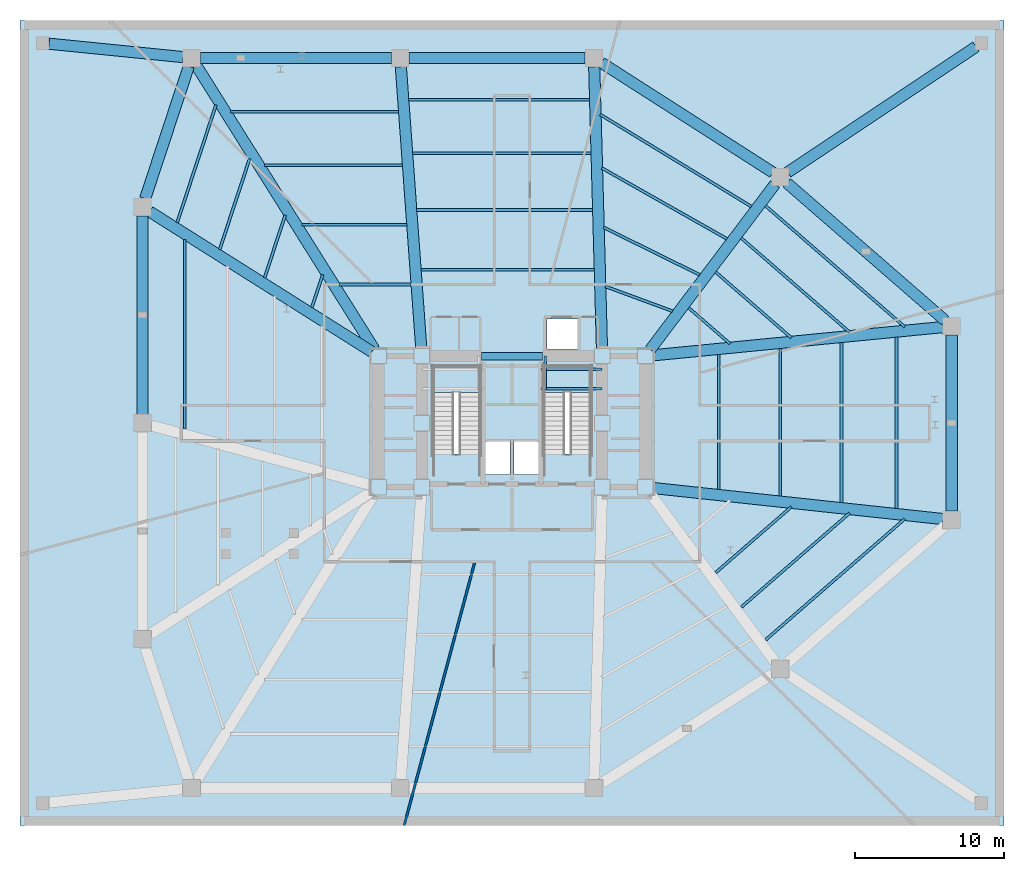
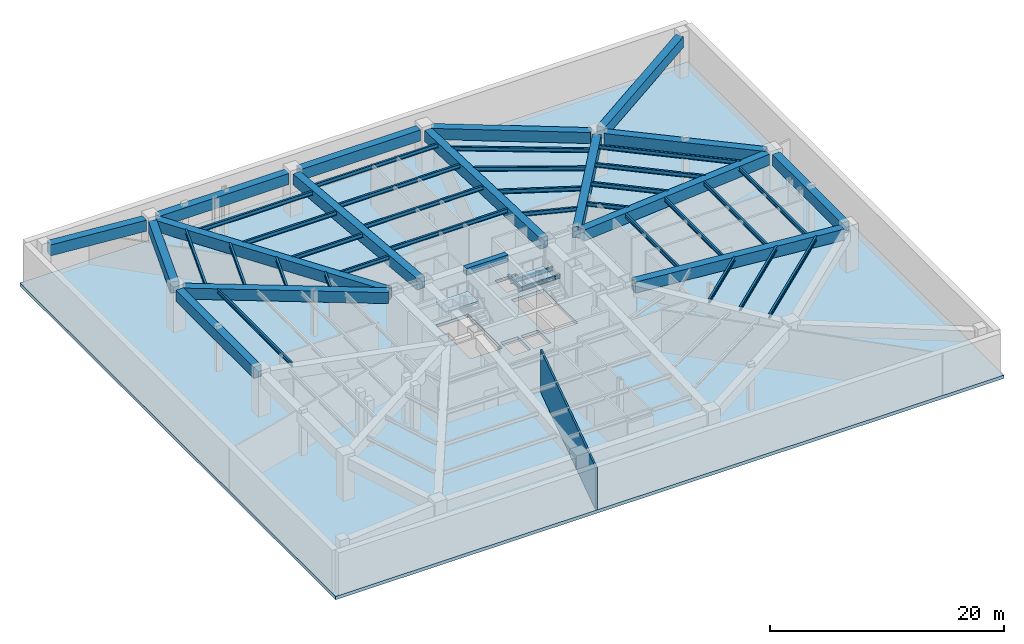
# One storey, part 2 of 6: 48 beams, 3 slabs, 1 wall, 2 elements without a shape of their own.
"""IFC4 building model written with IfcOpenShell, lengths in metres."""

from ifc_helpers import new_model, si_unit, direction, frame, frame_2d, origin, origin_2d, place, context, subcontext, project, spatial, polyline, rectangle, i_section, outline, extrude, material, layer, layer_set, material_profile, profile_set, type_object, element, aggregate, save


model = new_model("IFC4")

# Units and contexts
model_context = context("Model", 3, precision=1e-05, world=origin(), true_north=direction((0.0, 1.0)))
body_context = subcontext(model_context, "Body", "Model", "MODEL_VIEW")
ifc_project = project(units=[si_unit("LENGTHUNIT", "METRE"), si_unit("AREAUNIT", "SQUARE_METRE"), si_unit("VOLUMEUNIT", "CUBIC_METRE"), si_unit("PLANEANGLEUNIT", "RADIAN"), si_unit("MASSUNIT", "GRAM", prefix="KILO")], contexts=[model_context])

# Site, building, storey
site_placement = place(None, origin())
site = spatial("IfcSite", under=ifc_project, at=site_placement, CompositionType="ELEMENT")
building_placement = place(site_placement, origin())
building = spatial("IfcBuilding", under=site, at=building_placement, Name="Rocaltana Carrier Exchange", CompositionType="ELEMENT")
storey_placement = place(building_placement, frame((0.0, 0.0, -4.800048828125)))
storey = spatial("IfcBuildingStorey", under=building, at=storey_placement, Name="Upper Basement", CompositionType="ELEMENT", Elevation=-4.800048828125)

# Beams
ifc_material_1 = material(Name="Concrete C50/60", Category="concrete")
ifc_material_profile_1 = material_profile(ifc_material_1, rectangle(XDim=0.75, YDim=1.14990234375, at=origin_2d()), Name="RC-BM-750X1150")
ifc_profile_set_1 = profile_set([ifc_material_profile_1], Name="Concrete C50/60")
beam_type_1 = type_object("IfcBeamType", Name="Basement RC Girder 750x1150", PredefinedType="BEAM", material=ifc_profile_set_1)
beam_1_placement = place(storey_placement, frame((29.5, -5.907958984375, 3.863037109375), z_axis=(0.0, 1.0, 0.0), x_axis=(-1.0, 0.0, 0.0)))
element("IfcBeam", 1, at=beam_1_placement, inside=storey, type_object=beam_type_1, Name="BM-PODR-05-Upper_Basement", PredefinedType="BEAM", context=body_context, shape_type="SweptSolid", body=[
    extrude(rectangle(XDim=0.75, YDim=1.14990234375, at=origin_2d()), origin(), (0.0, 0.0, 1.0), 11.81591796875),
])
beam_2_placement = place(storey_placement, frame((29.05322265625, 6.888427734375, 3.863037109375), z_axis=(-0.754600286985, 0.656184735331, 0.0), x_axis=(-0.656184735331, -0.754600286985, 0.0)))
element("IfcBeam", 2, at=beam_2_placement, inside=storey, type_object=beam_type_1, Name="BM-PODR-06-Upper_Basement", PredefinedType="BEAM", context=body_context, shape_type="SweptSolid", body=[
    extrude(rectangle(XDim=0.75, YDim=1.14990234375, at=origin_2d()), origin(), (0.0, 0.0, 1.0), 14.0556640625),
])
beam_3_placement = place(storey_placement, frame((17.50146484375, 16.819091796875, 3.863037109375), z_axis=(-0.842273348616, 0.539050652733, 0.0), x_axis=(-0.539050652733, -0.842273348616, 0.0)))
element("IfcBeam", 3, at=beam_3_placement, inside=storey, type_object=beam_type_1, Name="BM-PODR-07-Upper_Basement", PredefinedType="BEAM", context=body_context, shape_type="SweptSolid", body=[
    extrude(rectangle(XDim=0.75, YDim=1.14990234375, at=origin_2d()), origin(), (0.0, 0.0, 1.0), 13.656982421875),
])
beam_4_placement = place(storey_placement, frame((4.907958984375, 24.5, 3.863037109375), z_axis=(-1.0, 0.0, 0.0), x_axis=(0.0, -1.0, 0.0)))
element("IfcBeam", 4, at=beam_4_placement, inside=storey, type_object=beam_type_1, Name="BM-PODR-08-Upper_Basement", PredefinedType="BEAM", context=body_context, shape_type="SweptSolid", body=[
    extrude(rectangle(XDim=0.75, YDim=1.14990234375, at=origin_2d()), origin(), (0.0, 0.0, 1.0), 11.81591796875),
])
beam_5_placement = place(storey_placement, frame((-8.092041015625, 24.5, 3.863037109375), z_axis=(-1.0, 0.0, 0.0), x_axis=(0.0, -1.0, 0.0)))
element("IfcBeam", 5, at=beam_5_placement, inside=storey, type_object=beam_type_1, Name="BM-PODR-09-Upper_Basement", PredefinedType="BEAM", context=body_context, shape_type="SweptSolid", body=[
    extrude(rectangle(XDim=0.75, YDim=1.14990234375, at=origin_2d()), origin(), (0.0, 0.0, 1.0), 12.81591796875),
])
beam_6_placement = place(storey_placement, frame((-21.685546875, 23.937744140625, 3.863037109375), z_axis=(-0.313381694349, -0.949627249844, 0.0), x_axis=(0.949627249844, -0.313381694349, 0.0)))
element("IfcBeam", 6, at=beam_6_placement, inside=storey, type_object=beam_type_1, Name="BM-PODR-10-Upper_Basement", PredefinedType="BEAM", context=body_context, shape_type="SweptSolid", body=[
    extrude(rectangle(XDim=0.75, YDim=1.14990234375, at=origin_2d()), origin(), (0.0, 0.0, 1.0), 9.34619140625),
])
beam_7_placement = place(storey_placement, frame((-24.800048828125, 13.907958984375, 3.863037109375), z_axis=(0.0, -1.0, 0.0), x_axis=(1.0, 0.0, 0.0)))
element("IfcBeam", 7, at=beam_7_placement, inside=storey, type_object=beam_type_1, Name="BM-PODR-11-Upper_Basement", PredefinedType="BEAM", context=body_context, shape_type="SweptSolid", body=[
    extrude(rectangle(XDim=0.75, YDim=1.14990234375, at=origin_2d()), origin(), (0.0, 0.0, 1.0), 13.31591796875),
])
beam_8_placement = place(storey_placement, frame((9.489013671875, -4.357666015625, 3.863037109375), z_axis=(0.994317945297, -0.106451038792, 0.0), x_axis=(0.106451038792, 0.994317945297, 0.0)))
element("IfcBeam", 8, at=beam_8_placement, inside=storey, type_object=beam_type_1, Name="BM-PODG-05-Upper_Basement", PredefinedType="BEAM", context=body_context, shape_type="SweptSolid", body=[
    extrude(rectangle(XDim=0.75, YDim=1.14990234375, at=origin_2d()), origin(), (0.0, 0.0, 1.0), 19.533447265625),
])
beam_9_placement = place(storey_placement, frame((9.489501953125, 4.552490234375, 3.863037109375), z_axis=(0.995297550212, 0.096864784836, 0.0), x_axis=(-0.096864784836, 0.995297550212, 0.0)))
element("IfcBeam", 9, at=beam_9_placement, inside=storey, type_object=beam_type_1, Name="BM-PODG-06-Upper_Basement", PredefinedType="BEAM", context=body_context, shape_type="SweptSolid", body=[
    extrude(rectangle(XDim=0.75, YDim=1.14990234375, at=origin_2d()), origin(), (0.0, 0.0, 1.0), 19.51318359375),
])
beam_10_placement = place(storey_placement, frame((9.2763671875, 4.9326171875, 3.863037109375), z_axis=(0.602123023099, 0.798403322296, 0.0), x_axis=(-0.798403322296, 0.602123023099, 0.0)))
element("IfcBeam", 10, at=beam_10_placement, inside=storey, type_object=beam_type_1, Name="BM-PODG-07-Upper_Basement", PredefinedType="BEAM", context=body_context, shape_type="SweptSolid", body=[
    extrude(rectangle(XDim=0.75, YDim=1.14990234375, at=origin_2d()), origin(), (0.0, 0.0, 1.0), 13.896240234375),
])
beam_11_placement = place(storey_placement, frame((6.03515625, 5.041748046875, 3.863037109375), z_axis=(-0.027488088676, 0.999622131098, 0.0), x_axis=(-0.999622131098, -0.027488088676, 0.0)))
element("IfcBeam", 11, at=beam_11_placement, inside=storey, type_object=beam_type_1, Name="BM-PODG-08-Upper_Basement", PredefinedType="BEAM", context=body_context, shape_type="SweptSolid", body=[
    extrude(rectangle(XDim=0.75, YDim=1.14990234375, at=origin_2d()), origin(), (0.0, 0.0, 1.0), 18.87353515625),
])
beam_12_placement = place(storey_placement, frame((-6.089111328125, 5.04052734375, 3.863037109375), z_axis=(-0.072319098721, 0.997381545829, 0.0), x_axis=(-0.997381545829, -0.072319098721, 0.0)))
element("IfcBeam", 12, at=beam_12_placement, inside=storey, type_object=beam_type_1, Name="BM-PODG-09-Upper_Basement", PredefinedType="BEAM", context=body_context, shape_type="SweptSolid", body=[
    extrude(rectangle(XDim=0.75, YDim=1.14990234375, at=origin_2d()), origin(), (0.0, 0.0, 1.0), 18.91845703125),
])
beam_13_placement = place(storey_placement, frame((-9.238037109375, 4.958984375, 3.863037109375), z_axis=(-0.531519187867, 0.847046251942, 0.0), x_axis=(-0.847046251942, -0.531519187867, 0.0)))
element("IfcBeam", 13, at=beam_13_placement, inside=storey, type_object=beam_type_1, Name="BM-PODG-10-Upper_Basement", PredefinedType="BEAM", context=body_context, shape_type="SweptSolid", body=[
    extrude(rectangle(XDim=0.75, YDim=1.14990234375, at=origin_2d()), origin(), (0.0, 0.0, 1.0), 22.4775390625),
])
beam_14_placement = place(storey_placement, frame((-9.408447265625, 4.789306640625, 3.863037109375), z_axis=(-0.845744823704, 0.533587568425, 0.0), x_axis=(-0.533587568425, -0.845744823704, 0.0)))
element("IfcBeam", 14, at=beam_14_placement, inside=storey, type_object=beam_type_1, Name="BM-PODG-11-Upper_Basement", PredefinedType="BEAM", context=body_context, shape_type="SweptSolid", body=[
    extrude(rectangle(XDim=0.75, YDim=1.14990234375, at=origin_2d()), origin(), (0.0, 0.0, 1.0), 17.606689453125),
])
beam_15_placement = place(storey_placement, frame((18.49267578125, 16.828369140625, 3.863037109375), z_axis=(0.832042876601, 0.554711322669, 0.0), x_axis=(-0.554711322669, 0.832042876601, 0.0)))
element("IfcBeam", 15, at=beam_15_placement, inside=storey, type_object=beam_type_1, Name="BM-BSUB-3-Upper_Basement", PredefinedType="BEAM", context=body_context, shape_type="SweptSolid", body=[
    extrude(rectangle(XDim=0.75, YDim=1.14990234375, at=origin_2d()), origin(), (0.0, 0.0, 1.0), 15.19091796875),
])
beam_16_placement = place(storey_placement, frame((-22.089111328125, 24.558837890625, 3.863037109375), z_axis=(-0.995036117726, 0.099514443277, 0.0), x_axis=(-0.099514443277, -0.995036117726, 0.0)))
element("IfcBeam", 16, at=beam_16_placement, inside=storey, type_object=beam_type_1, Name="BM-BSUB-4-Upper_Basement", PredefinedType="BEAM", context=body_context, shape_type="SweptSolid", body=[
    extrude(rectangle(XDim=0.75, YDim=1.14990234375, at=origin_2d()), origin(), (0.0, 0.0, 1.0), 9.015869140625),
])
ifc_material_2 = material(Name="Concrete C60/75", Category="concrete")
ifc_material_profile_2 = material_profile(ifc_material_2, rectangle(XDim=0.5, YDim=0.699951171875, at=origin_2d()), Name="RC-BM-500X700")
ifc_profile_set_2 = profile_set([ifc_material_profile_2], Name="Concrete C60/75")
beam_type_2 = type_object("IfcBeamType", Name="Core Coupling Lintel 500x700", PredefinedType="LINTEL", material=ifc_profile_set_2)
beam_17_placement = place(storey_placement, frame((-2.050048828125, 4.5, 4.088134765625), z_axis=(1.0, 0.0, 0.0), x_axis=(0.0, 1.0, 0.0)))
element("IfcBeam", 17, at=beam_17_placement, inside=storey, type_object=beam_type_2, Name="Upper Basement Core Coupling Lintel CL-N", PredefinedType="LINTEL", context=body_context, shape_type="SweptSolid", body=[
    extrude(rectangle(XDim=0.5, YDim=0.699951171875, at=origin_2d()), origin(), (0.0, 0.0, 1.0), 4.10009765625),
])
ifc_material_3 = material(Name="Steel S355", Category="steel")
ifc_material_profile_3 = material_profile(ifc_material_3, i_section(OverallWidth=0.172119140625, OverallDepth=0.35791015625, WebThickness=0.0078125, FlangeThickness=0.01318359375, FilletRadius=0.011962890625, at=origin_2d()), Name="W14X38")
ifc_profile_set_3 = profile_set([ifc_material_profile_3], Name="Steel S355")
beam_type_3 = type_object("IfcBeamType", Name="Floor Joist W14X38", PredefinedType="JOIST", material=ifc_profile_set_3)
for number, where, z_axis, x_axis, name in (
    (18, (1.93994140625, 2.300048828125, 2.02099609375), (1.0, 0.0, 0.0), (0.0, 1.0, 0.0), "Upper Basement ST-2 Landing Carrier 1"),
    (19, (1.93994140625, 3.60009765625, 2.02099609375), (1.0, 0.0, 0.0), (0.0, 1.0, 0.0), "Upper Basement ST-2 Landing Carrier 2"),
):
    element("IfcBeam", number, at=place(storey_placement, frame(where, z_axis=z_axis, x_axis=x_axis)), inside=storey, type_object=beam_type_3, Name=name, PredefinedType="JOIST", context=body_context, shape_type="SweptSolid", body=[
        extrude(i_section(OverallWidth=0.172119140625, OverallDepth=0.35791015625, WebThickness=0.0078125, FlangeThickness=0.01318359375, FilletRadius=0.011962890625, at=origin_2d()), origin(), (0.0, 0.0, 1.0), 4.110107421875),
    ])
beam_18_placement = place(storey_placement, frame((2.219970703125, 2.300048828125, 2.02099609375), z_axis=(0.0, 1.0, 0.0), x_axis=(-1.0, 0.0, 0.0)))
element("IfcBeam", 20, at=beam_18_placement, inside=storey, type_object=beam_type_3, Name="Upper Basement ST-2 Landing Cross Trimmer", PredefinedType="JOIST", context=body_context, shape_type="SweptSolid", body=[
    extrude(i_section(OverallWidth=0.172119140625, OverallDepth=0.35791015625, WebThickness=0.0078125, FlangeThickness=0.01318359375, FilletRadius=0.011962890625, at=origin_2d()), origin(), (0.0, 0.0, 1.0), 2.199951171875),
])
ifc_material_4 = material(Name="Steel S355", Category="steel")
ifc_material_profile_4 = material_profile(ifc_material_4, i_section(OverallWidth=0.179931640625, OverallDepth=0.4130859375, WebThickness=0.009765625, FlangeThickness=0.01611328125, FilletRadius=0.012939453125, at=origin_2d()), Name="W16X50")
ifc_profile_set_4 = profile_set([ifc_material_profile_4], Name="Steel S355")
beam_type_4 = type_object("IfcBeamType", Name="Floor Joist W16X50", PredefinedType="JOIST", material=ifc_profile_set_4)
beam_19_placement = place(storey_placement, frame((13.662841796875, -10.035888671875, 4.2314453125), z_axis=(0.754620361229, 0.65616164961, 0.0), x_axis=(-0.65616164961, 0.754620361229, 0.0)))
element("IfcBeam", 21, at=beam_19_placement, inside=storey, type_object=beam_type_4, Name="FJ-POD-04-2-Upper_Basement", PredefinedType="JOIST", context=body_context, shape_type="SweptSolid", body=[
    extrude(i_section(OverallWidth=0.179931640625, OverallDepth=0.4130859375, WebThickness=0.009765625, FlangeThickness=0.01611328125, FilletRadius=0.012939453125, at=origin_2d()), origin(), (0.0, 0.0, 1.0), 6.729736328125),
])
beam_20_placement = place(storey_placement, frame((15.38232421875, -12.35400390625, 4.2314453125), z_axis=(0.75460006149, 0.656184994647, 0.0), x_axis=(-0.656184994647, 0.75460006149, 0.0)))
element("IfcBeam", 22, at=beam_20_placement, inside=storey, type_object=beam_type_4, Name="FJ-POD-04-3-Upper_Basement", PredefinedType="JOIST", context=body_context, shape_type="SweptSolid", body=[
    extrude(i_section(OverallWidth=0.179931640625, OverallDepth=0.4130859375, WebThickness=0.009765625, FlangeThickness=0.01611328125, FilletRadius=0.012939453125, at=origin_2d()), origin(), (0.0, 0.0, 1.0), 9.625244140625),
])
beam_21_placement = place(storey_placement, frame((17.011474609375, -14.5498046875, 4.2314453125), z_axis=(0.754602972379, 0.656181647165, 0.0), x_axis=(-0.656181647165, 0.754602972379, 0.0)))
element("IfcBeam", 23, at=beam_21_placement, inside=storey, type_object=beam_type_4, Name="FJ-POD-04-4-Upper_Basement", PredefinedType="JOIST", context=body_context, shape_type="SweptSolid", body=[
    extrude(i_section(OverallWidth=0.179931640625, OverallDepth=0.4130859375, WebThickness=0.009765625, FlangeThickness=0.01611328125, FilletRadius=0.012939453125, at=origin_2d()), origin(), (0.0, 0.0, 1.0), 12.3681640625),
])
beam_22_placement = place(storey_placement, frame((13.882080078125, -4.458984375, 4.2314453125), z_axis=(0.0, 1.0, 0.0), x_axis=(-1.0, 0.0, 0.0)))
element("IfcBeam", 24, at=beam_22_placement, inside=storey, type_object=beam_type_4, Name="FJ-POD-05-1-Upper_Basement", PredefinedType="JOIST", context=body_context, shape_type="SweptSolid", body=[
    extrude(i_section(OverallWidth=0.179931640625, OverallDepth=0.4130859375, WebThickness=0.009765625, FlangeThickness=0.01611328125, FilletRadius=0.012939453125, at=origin_2d()), origin(), (0.0, 0.0, 1.0), 9.070068359375),
])
beam_23_placement = place(storey_placement, frame((17.991943359375, -4.89892578125, 4.2314453125), z_axis=(0.0, 1.0, 0.0), x_axis=(-1.0, 0.0, 0.0)))
element("IfcBeam", 25, at=beam_23_placement, inside=storey, type_object=beam_type_4, Name="FJ-POD-05-2-Upper_Basement", PredefinedType="JOIST", context=body_context, shape_type="SweptSolid", body=[
    extrude(i_section(OverallWidth=0.179931640625, OverallDepth=0.4130859375, WebThickness=0.009765625, FlangeThickness=0.01611328125, FilletRadius=0.012939453125, at=origin_2d()), origin(), (0.0, 0.0, 1.0), 9.909912109375),
])
beam_24_placement = place(storey_placement, frame((22.10205078125, -5.339111328125, 4.2314453125), z_axis=(0.0, 1.0, 0.0), x_axis=(-1.0, 0.0, 0.0)))
element("IfcBeam", 26, at=beam_24_placement, inside=storey, type_object=beam_type_4, Name="FJ-POD-05-3-Upper_Basement", PredefinedType="JOIST", context=body_context, shape_type="SweptSolid", body=[
    extrude(i_section(OverallWidth=0.179931640625, OverallDepth=0.4130859375, WebThickness=0.009765625, FlangeThickness=0.01611328125, FilletRadius=0.012939453125, at=origin_2d()), origin(), (0.0, 0.0, 1.0), 10.75),
])
beam_25_placement = place(storey_placement, frame((25.801025390625, -5.735107421875, 4.2314453125), z_axis=(0.0, 1.0, 0.0), x_axis=(-1.0, 0.0, 0.0)))
element("IfcBeam", 27, at=beam_25_placement, inside=storey, type_object=beam_type_4, Name="FJ-POD-05-4-Upper_Basement", PredefinedType="JOIST", context=body_context, shape_type="SweptSolid", body=[
    extrude(i_section(OverallWidth=0.179931640625, OverallDepth=0.4130859375, WebThickness=0.009765625, FlangeThickness=0.01611328125, FilletRadius=0.012939453125, at=origin_2d()), origin(), (0.0, 0.0, 1.0), 11.506103515625),
])
beam_26_placement = place(storey_placement, frame((14.631103515625, 5.322021484375, 4.2314453125), z_axis=(-0.754626935652, 0.656154088601, 0.0), x_axis=(-0.656154088601, -0.754626935652, 0.0)))
element("IfcBeam", 28, at=beam_26_placement, inside=storey, type_object=beam_type_4, Name="FJ-POD-06-1-Upper_Basement", PredefinedType="JOIST", context=body_context, shape_type="SweptSolid", body=[
    extrude(i_section(OverallWidth=0.179931640625, OverallDepth=0.4130859375, WebThickness=0.009765625, FlangeThickness=0.01611328125, FilletRadius=0.012939453125, at=origin_2d()), origin(), (0.0, 0.0, 1.0), 3.681640625),
])
beam_27_placement = place(storey_placement, frame((18.7412109375, 5.72216796875, 4.2314453125), z_axis=(-0.754620361229, 0.65616164961, 0.0), x_axis=(-0.65616164961, -0.754620361229, 0.0)))
element("IfcBeam", 29, at=beam_27_placement, inside=storey, type_object=beam_type_4, Name="FJ-POD-06-2-Upper_Basement", PredefinedType="JOIST", context=body_context, shape_type="SweptSolid", body=[
    extrude(i_section(OverallWidth=0.179931640625, OverallDepth=0.4130859375, WebThickness=0.009765625, FlangeThickness=0.01611328125, FilletRadius=0.012939453125, at=origin_2d()), origin(), (0.0, 0.0, 1.0), 6.729736328125),
])
beam_28_placement = place(storey_placement, frame((22.6455078125, 6.10205078125, 4.2314453125), z_axis=(-0.75460006149, 0.656184994647, 0.0), x_axis=(-0.656184994647, -0.75460006149, 0.0)))
element("IfcBeam", 30, at=beam_28_placement, inside=storey, type_object=beam_type_4, Name="FJ-POD-06-3-Upper_Basement", PredefinedType="JOIST", context=body_context, shape_type="SweptSolid", body=[
    extrude(i_section(OverallWidth=0.179931640625, OverallDepth=0.4130859375, WebThickness=0.009765625, FlangeThickness=0.01611328125, FilletRadius=0.012939453125, at=origin_2d()), origin(), (0.0, 0.0, 1.0), 9.625244140625),
])
beam_29_placement = place(storey_placement, frame((26.344482421875, 6.462158203125, 4.2314453125), z_axis=(-0.754602972379, 0.656181647165, 0.0), x_axis=(-0.656181647165, -0.754602972379, 0.0)))
element("IfcBeam", 31, at=beam_29_placement, inside=storey, type_object=beam_type_4, Name="FJ-POD-06-4-Upper_Basement", PredefinedType="JOIST", context=body_context, shape_type="SweptSolid", body=[
    extrude(i_section(OverallWidth=0.179931640625, OverallDepth=0.4130859375, WebThickness=0.009765625, FlangeThickness=0.01611328125, FilletRadius=0.012939453125, at=origin_2d()), origin(), (0.0, 0.0, 1.0), 12.3681640625),
])
beam_30_placement = place(storey_placement, frame((10.77587890625, 7.5078125, 4.2314453125), z_axis=(-0.93818526809, 0.346133504212, 0.0), x_axis=(-0.346133504212, -0.93818526809, 0.0)))
element("IfcBeam", 32, at=beam_30_placement, inside=storey, type_object=beam_type_4, Name="FJ-POD-07-1-Upper_Basement", PredefinedType="JOIST", context=body_context, shape_type="SweptSolid", body=[
    extrude(i_section(OverallWidth=0.179931640625, OverallDepth=0.4130859375, WebThickness=0.009765625, FlangeThickness=0.01611328125, FilletRadius=0.012939453125, at=origin_2d()), origin(), (0.0, 0.0, 1.0), 4.80908203125),
])
beam_31_placement = place(storey_placement, frame((12.601318359375, 9.943603515625, 4.2314453125), z_axis=(-0.896544122613, 0.44295444033, 0.0), x_axis=(-0.44295444033, -0.896544122613, 0.0)))
element("IfcBeam", 33, at=beam_31_placement, inside=storey, type_object=beam_type_4, Name="FJ-POD-07-2-Upper_Basement", PredefinedType="JOIST", context=body_context, shape_type="SweptSolid", body=[
    extrude(i_section(OverallWidth=0.179931640625, OverallDepth=0.4130859375, WebThickness=0.009765625, FlangeThickness=0.01611328125, FilletRadius=0.012939453125, at=origin_2d()), origin(), (0.0, 0.0, 1.0), 7.2080078125),
])
beam_32_placement = place(storey_placement, frame((14.4208984375, 12.36181640625, 4.2314453125), z_axis=(-0.870231082695, 0.492643748273, 0.0), x_axis=(-0.492643748273, -0.870231082695, 0.0)))
element("IfcBeam", 34, at=beam_32_placement, inside=storey, type_object=beam_type_4, Name="FJ-POD-07-3-Upper_Basement", PredefinedType="JOIST", context=body_context, shape_type="SweptSolid", body=[
    extrude(i_section(OverallWidth=0.179931640625, OverallDepth=0.4130859375, WebThickness=0.009765625, FlangeThickness=0.01611328125, FilletRadius=0.012939453125, at=origin_2d()), origin(), (0.0, 0.0, 1.0), 9.65478515625),
])
beam_33_placement = place(storey_placement, frame((16.055908203125, 14.531982421875, 4.2314453125), z_axis=(-0.854090941122, 0.520123700953, 0.0), x_axis=(-0.520123700953, -0.854090941122, 0.0)))
element("IfcBeam", 35, at=beam_33_placement, inside=storey, type_object=beam_type_4, Name="FJ-POD-07-4-Upper_Basement", PredefinedType="JOIST", context=body_context, shape_type="SweptSolid", body=[
    extrude(i_section(OverallWidth=0.179931640625, OverallDepth=0.4130859375, WebThickness=0.009765625, FlangeThickness=0.01611328125, FilletRadius=0.012939453125, at=origin_2d()), origin(), (0.0, 0.0, 1.0), 11.874267578125),
])
beam_34_placement = place(storey_placement, frame((5.521484375, 10.300048828125, 4.2314453125), z_axis=(-1.0, 0.0, 0.0), x_axis=(0.0, -1.0, 0.0)))
element("IfcBeam", 36, at=beam_34_placement, inside=storey, type_object=beam_type_4, Name="FJ-POD-08-1-Upper_Basement", PredefinedType="JOIST", context=body_context, shape_type="SweptSolid", body=[
    extrude(i_section(OverallWidth=0.179931640625, OverallDepth=0.4130859375, WebThickness=0.009765625, FlangeThickness=0.01611328125, FilletRadius=0.012939453125, at=origin_2d()), origin(), (0.0, 0.0, 1.0), 11.623046875),
])
beam_35_placement = place(storey_placement, frame((5.41162109375, 14.300048828125, 4.2314453125), z_axis=(-1.0, 0.0, 0.0), x_axis=(0.0, -1.0, 0.0)))
element("IfcBeam", 37, at=beam_35_placement, inside=storey, type_object=beam_type_4, Name="FJ-POD-08-2-Upper_Basement", PredefinedType="JOIST", context=body_context, shape_type="SweptSolid", body=[
    extrude(i_section(OverallWidth=0.179931640625, OverallDepth=0.4130859375, WebThickness=0.009765625, FlangeThickness=0.01611328125, FilletRadius=0.012939453125, at=origin_2d()), origin(), (0.0, 0.0, 1.0), 11.80322265625),
])
beam_36_placement = place(storey_placement, frame((5.306884765625, 18.10009765625, 4.2314453125), z_axis=(-1.0, 0.0, 0.0), x_axis=(0.0, -1.0, 0.0)))
element("IfcBeam", 38, at=beam_36_placement, inside=storey, type_object=beam_type_4, Name="FJ-POD-08-3-Upper_Basement", PredefinedType="JOIST", context=body_context, shape_type="SweptSolid", body=[
    extrude(i_section(OverallWidth=0.179931640625, OverallDepth=0.4130859375, WebThickness=0.009765625, FlangeThickness=0.01611328125, FilletRadius=0.012939453125, at=origin_2d()), origin(), (0.0, 0.0, 1.0), 11.973876953125),
])
beam_37_placement = place(storey_placement, frame((5.2080078125, 21.699951171875, 4.2314453125), z_axis=(-1.0, 0.0, 0.0), x_axis=(0.0, -1.0, 0.0)))
element("IfcBeam", 39, at=beam_37_placement, inside=storey, type_object=beam_type_4, Name="FJ-POD-08-4-Upper_Basement", PredefinedType="JOIST", context=body_context, shape_type="SweptSolid", body=[
    extrude(i_section(OverallWidth=0.179931640625, OverallDepth=0.4130859375, WebThickness=0.009765625, FlangeThickness=0.01611328125, FilletRadius=0.012939453125, at=origin_2d()), origin(), (0.0, 0.0, 1.0), 12.135986328125),
])
beam_38_placement = place(storey_placement, frame((-6.76708984375, 9.300048828125, 4.2314453125), z_axis=(-1.0, 0.0, 0.0), x_axis=(0.0, -1.0, 0.0)))
element("IfcBeam", 40, at=beam_38_placement, inside=storey, type_object=beam_type_4, Name="FJ-POD-09-1-Upper_Basement", PredefinedType="JOIST", context=body_context, shape_type="SweptSolid", body=[
    extrude(i_section(OverallWidth=0.179931640625, OverallDepth=0.4130859375, WebThickness=0.009765625, FlangeThickness=0.01611328125, FilletRadius=0.012939453125, at=origin_2d()), origin(), (0.0, 0.0, 1.0), 4.825927734375),
])
beam_39_placement = place(storey_placement, frame((-7.056884765625, 13.300048828125, 4.2314453125), z_axis=(-1.0, 0.0, 0.0), x_axis=(0.0, -1.0, 0.0)))
element("IfcBeam", 41, at=beam_39_placement, inside=storey, type_object=beam_type_4, Name="FJ-POD-09-2-Upper_Basement", PredefinedType="JOIST", context=body_context, shape_type="SweptSolid", body=[
    extrude(i_section(OverallWidth=0.179931640625, OverallDepth=0.4130859375, WebThickness=0.009765625, FlangeThickness=0.01611328125, FilletRadius=0.012939453125, at=origin_2d()), origin(), (0.0, 0.0, 1.0), 7.046142578125),
])
beam_40_placement = place(storey_placement, frame((-7.346923828125, 17.300048828125, 4.2314453125), z_axis=(-1.0, 0.0, 0.0), x_axis=(0.0, -1.0, 0.0)))
element("IfcBeam", 42, at=beam_40_placement, inside=storey, type_object=beam_type_4, Name="FJ-POD-09-3-Upper_Basement", PredefinedType="JOIST", context=body_context, shape_type="SweptSolid", body=[
    extrude(i_section(OverallWidth=0.179931640625, OverallDepth=0.4130859375, WebThickness=0.009765625, FlangeThickness=0.01611328125, FilletRadius=0.012939453125, at=origin_2d()), origin(), (0.0, 0.0, 1.0), 9.26611328125),
])
beam_41_placement = place(storey_placement, frame((-7.60791015625, 20.89990234375, 4.2314453125), z_axis=(-1.0, 0.0, 0.0), x_axis=(0.0, -1.0, 0.0)))
element("IfcBeam", 43, at=beam_41_placement, inside=storey, type_object=beam_type_4, Name="FJ-POD-09-4-Upper_Basement", PredefinedType="JOIST", context=body_context, shape_type="SweptSolid", body=[
    extrude(i_section(OverallWidth=0.179931640625, OverallDepth=0.4130859375, WebThickness=0.009765625, FlangeThickness=0.01611328125, FilletRadius=0.012939453125, at=origin_2d()), origin(), (0.0, 0.0, 1.0), 11.26416015625),
])
beam_42_placement = place(storey_placement, frame((-12.705078125, 9.94970703125, 4.2314453125), z_axis=(-0.31341167797, -0.949617354576, 0.0), x_axis=(0.949617354576, -0.31341167797, 0.0)))
element("IfcBeam", 44, at=beam_42_placement, inside=storey, type_object=beam_type_4, Name="FJ-POD-10-1-Upper_Basement", PredefinedType="JOIST", context=body_context, shape_type="SweptSolid", body=[
    extrude(i_section(OverallWidth=0.179931640625, OverallDepth=0.4130859375, WebThickness=0.009765625, FlangeThickness=0.01611328125, FilletRadius=0.012939453125, at=origin_2d()), origin(), (0.0, 0.0, 1.0), 2.31591796875),
])
beam_43_placement = place(storey_placement, frame((-15.215087890625, 13.94970703125, 4.2314453125), z_axis=(-0.313377454204, -0.949628649103, 0.0), x_axis=(0.949628649103, -0.313377454204, 0.0)))
element("IfcBeam", 45, at=beam_43_placement, inside=storey, type_object=beam_type_4, Name="FJ-POD-10-2-Upper_Basement", PredefinedType="JOIST", context=body_context, shape_type="SweptSolid", body=[
    extrude(i_section(OverallWidth=0.179931640625, OverallDepth=0.4130859375, WebThickness=0.009765625, FlangeThickness=0.01611328125, FilletRadius=0.012939453125, at=origin_2d()), origin(), (0.0, 0.0, 1.0), 4.421875),
])
beam_44_placement = place(storey_placement, frame((-17.599609375, 17.74951171875, 4.2314453125), z_axis=(-0.313375397433, -0.949629327835, 0.0), x_axis=(0.949629327835, -0.313375397433, 0.0)))
element("IfcBeam", 46, at=beam_44_placement, inside=storey, type_object=beam_type_4, Name="FJ-POD-10-3-Upper_Basement", PredefinedType="JOIST", context=body_context, shape_type="SweptSolid", body=[
    extrude(i_section(OverallWidth=0.179931640625, OverallDepth=0.4130859375, WebThickness=0.009765625, FlangeThickness=0.01611328125, FilletRadius=0.012939453125, at=origin_2d()), origin(), (0.0, 0.0, 1.0), 6.422607421875),
])
beam_45_placement = place(storey_placement, frame((-19.858642578125, 21.349609375, 4.2314453125), z_axis=(-0.313373484006, -0.949629959259, 0.0), x_axis=(0.949629959259, -0.313373484006, 0.0)))
element("IfcBeam", 47, at=beam_45_placement, inside=storey, type_object=beam_type_4, Name="FJ-POD-10-4-Upper_Basement", PredefinedType="JOIST", context=body_context, shape_type="SweptSolid", body=[
    extrude(i_section(OverallWidth=0.179931640625, OverallDepth=0.4130859375, WebThickness=0.009765625, FlangeThickness=0.01611328125, FilletRadius=0.012939453125, at=origin_2d()), origin(), (0.0, 0.0, 1.0), 8.318115234375),
])
beam_46_placement = place(storey_placement, frame((-21.947021484375, 12.3310546875, 4.2314453125), z_axis=(0.0, -1.0, 0.0), x_axis=(1.0, 0.0, 0.0)))
element("IfcBeam", 48, at=beam_46_placement, inside=storey, type_object=beam_type_4, Name="FJ-POD-11-4-Upper_Basement", PredefinedType="JOIST", context=body_context, shape_type="SweptSolid", body=[
    extrude(i_section(OverallWidth=0.179931640625, OverallDepth=0.4130859375, WebThickness=0.009765625, FlangeThickness=0.01611328125, FilletRadius=0.012939453125, at=origin_2d()), origin(), (0.0, 0.0, 1.0), 12.736083984375),
])

# Stair, slab
ifc_material_5 = material(Name="Precast concrete C45/55", Category="concrete")
stair_type = type_object("IfcStairType", Name="Standard Dog-Leg Stair 160", PredefinedType="HALF_TURN_STAIR", material=ifc_material_5)
stair_1_placement = place(storey_placement, origin())
stair_1 = element("IfcStair", 49, at=stair_1_placement, inside=storey, type_object=stair_type, Name="Upper Basement Core West Exit Stair ST-1", PredefinedType="HALF_TURN_STAIR")
ifc_material_6 = material(Name="Precast concrete C45/55", Category="concrete")
ifc_layer_1 = layer(ifc_material_6, 0.199951171875)
ifc_layer_set_1 = layer_set([ifc_layer_1], Name="Precast concrete C45/55")
slab_type_1 = type_object("IfcSlabType", Name="Precast Stair Half-Landing 200", PredefinedType="LANDING", material=ifc_layer_set_1)
slab_1_placement = place(storey_placement, frame((0.0, 0.0, 2.199951171875)))
slab_1 = element("IfcSlab", 50, at=slab_1_placement, type_object=slab_type_1, Name="ST-1 landing 1", PredefinedType="LANDING", context=body_context, shape_type="SweptSolid", body=[
    extrude(outline(polyline([(-2.139892578125, 2.06005859375), (-2.139892578125, 3.800048828125), (-5.300048828125, 3.800048828125), (-5.300048828125, 2.06005859375), (-2.139892578125, 2.06005859375)])), origin(), (0.0, 0.0, 1.0), 0.2001953125),
])
aggregate(stair_1, [slab_1])

stair_2_placement = place(storey_placement, origin())
stair_2 = element("IfcStair", 51, at=stair_2_placement, inside=storey, type_object=stair_type, Name="Upper Basement Core East Exit Stair ST-2", PredefinedType="HALF_TURN_STAIR")
slab_2_placement = place(storey_placement, frame((0.0, 0.0, 2.199951171875)))
slab_2 = element("IfcSlab", 52, at=slab_2_placement, type_object=slab_type_1, Name="ST-2 landing 1", PredefinedType="LANDING", context=body_context, shape_type="SweptSolid", body=[
    extrude(outline(polyline([(5.300048828125, 2.06005859375), (5.300048828125, 3.800048828125), (2.139892578125, 3.800048828125), (2.139892578125, 2.06005859375), (5.300048828125, 2.06005859375)])), origin(), (0.0, 0.0, 1.0), 0.2001953125),
])
aggregate(stair_2, [slab_2])

# Slab
ifc_material_7 = material(Name="Concrete C50/60", Category="concrete")
ifc_layer_2 = layer(ifc_material_7, 0.35009765625)
ifc_layer_set_2 = layer_set([ifc_layer_2], Name="Concrete C50/60")
slab_type_2 = type_object("IfcSlabType", Name="Substructure Slab 350", PredefinedType="FLOOR", material=ifc_layer_set_2)
slab_3_placement = place(storey_placement, frame((0.0, 0.0, -0.349853515625)))
element("IfcSlab", 53, at=slab_3_placement, inside=storey, type_object=slab_type_2, Name="Upper Basement Structural Floor Slab", PredefinedType="FLOOR", context=body_context, shape_type="SweptSolid", body=[
    extrude(outline(polyline([(-33.0, -27.0), (33.0, -27.0), (33.0, 27.0), (-33.0, 27.0), (-33.0, -27.0)]), holes=[polyline([(-5.300048828125, -2.06005859375), (-2.139892578125, -2.06005859375), (-2.139892578125, 3.800048828125), (-5.300048828125, 3.800048828125), (-5.300048828125, -2.06005859375)]), polyline([(2.139892578125, -2.06005859375), (5.300048828125, -2.06005859375), (5.300048828125, 3.800048828125), (2.139892578125, 3.800048828125), (2.139892578125, -2.06005859375)]), polyline([(-1.85009765625, -3.449951171875), (-0.14990234375, -3.449951171875), (-0.14990234375, -1.25), (-1.85009765625, -1.25), (-1.85009765625, -3.449951171875)]), polyline([(0.14990234375, -3.449951171875), (1.85009765625, -3.449951171875), (1.85009765625, -1.25), (0.14990234375, -1.25), (0.14990234375, -3.449951171875)]), polyline([(2.35009765625, 4.97998046875), (4.39990234375, 4.97998046875), (4.39990234375, 6.97998046875), (2.35009765625, 6.97998046875), (2.35009765625, 4.97998046875)])]), origin(), (0.0, 0.0, 1.0), 0.349853515625),
])

# Wall
ifc_material_8 = material(Name="Double Acoustic Gypsum Partition", Category="gypsum")
ifc_layer_3 = layer(ifc_material_8, 0.159912109375)
ifc_layer_set_3 = layer_set([ifc_layer_3], Name="Double Acoustic Gypsum Partition")
wall_type = type_object("IfcWallType", Name="Acoustic Studio Partition 160 EI60", PredefinedType="PARTITIONING", material=ifc_layer_set_3)
wall_placement = place(storey_placement, frame((-2.513427734375, -9.3798828125, 0.0), z_axis=(0.0, 0.0, 1.0), x_axis=(-0.258813507658, -0.965927310026, 0.0)))
element("IfcWall", 54, at=wall_placement, inside=storey, type_object=wall_type, Name="Upper Basement Suite Divider Wall D2", PredefinedType="PARTITIONING", context=body_context, shape_type="SweptSolid", body=[
    extrude(rectangle(XDim=18.231201171875, YDim=0.159912109375, at=frame_2d((9.11572265625, 0.0))), origin(), (0.0, 0.0, 1.0), 4.4130859375),
])

save(model, "model.ifc")
